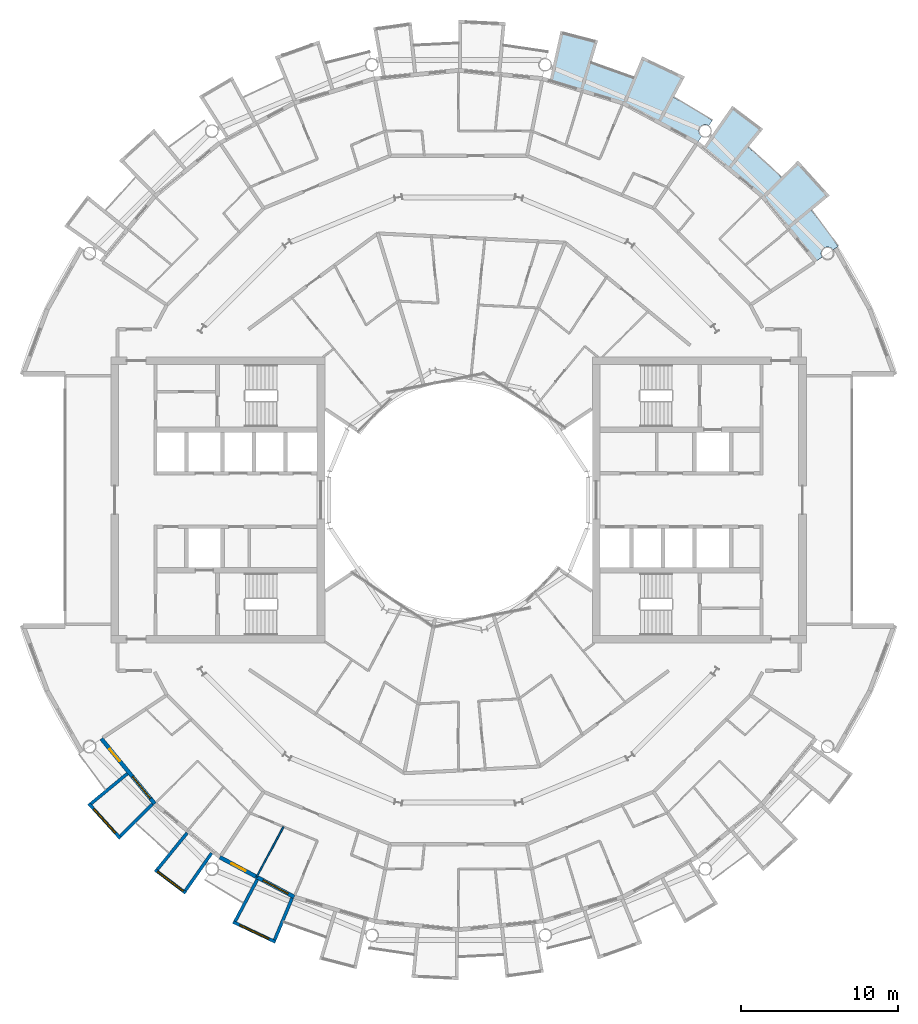
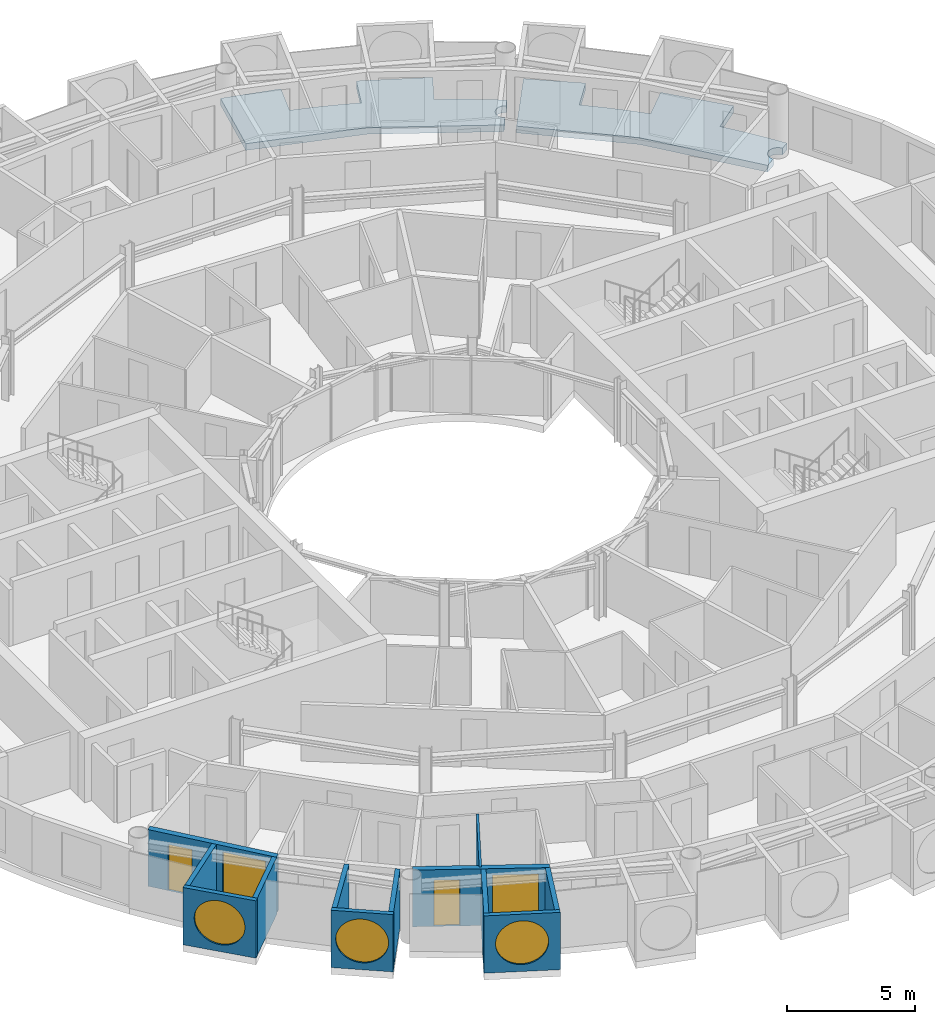
# One storey, part 13 of 27: 12 walls, 5 windows, 2 doors, 2 slabs, 7 openings.
"""IFC4 building model written with IfcOpenShell, lengths in metres."""

from ifc_helpers import new_model, si_unit, direction, frame, frame_2d, origin, place, context, subcontext, project, spatial, polyline, rectangle, circle, outline, extrude, material, layer, layer_set, type_object, element, fill, save


model = new_model("IFC4")

# Units and contexts
model_context = context("Model", 3, precision=1e-05, world=origin(), true_north=direction((0.0, 1.0)))
body_context = subcontext(model_context, "Body", "Model", "MODEL_VIEW")
ifc_project = project(units=[si_unit("LENGTHUNIT", "METRE"), si_unit("AREAUNIT", "SQUARE_METRE"), si_unit("VOLUMEUNIT", "CUBIC_METRE"), si_unit("PLANEANGLEUNIT", "RADIAN"), si_unit("MASSUNIT", "GRAM", prefix="KILO")], contexts=[model_context])

# Site, building, storey
site_placement = place(None, origin())
site = spatial("IfcSite", under=ifc_project, at=site_placement, CompositionType="ELEMENT")
building_placement = place(site_placement, origin())
building = spatial("IfcBuilding", under=site, at=building_placement, Name="Maasbend Ring Residences", CompositionType="ELEMENT")
storey_placement = place(building_placement, frame((0.0, 0.0, 170.75)))
storey = spatial("IfcBuildingStorey", under=building, at=storey_placement, Name="L49", CompositionType="ELEMENT", Elevation=170.75)

# Slabs
ifc_material_1 = material(Name="Concrete C40/50", Category="concrete")
ifc_layer_1 = layer(ifc_material_1, 0.199951171875)
ifc_layer_set_1 = layer_set([ifc_layer_1], Name="Concrete C40/50")
slab_type = type_object("IfcSlabType", Name="SL-LOGGIA", PredefinedType="FLOOR", material=ifc_layer_set_1)
slab_1_placement = place(storey_placement, frame((0.0, 0.0, -0.35009765625)))
element("IfcSlab", 1, at=slab_1_placement, inside=storey, type_object=slab_type, Name="Loggia floor 1", PredefinedType="FLOOR", context=body_context, shape_type="SweptSolid", body=[
    extrude(outline(polyline([(8.85400390625, 29.18701171875), (8.85400390625, 29.18701171875), (8.85400390625, 29.18701171875), (8.41796875, 27.751953125), (8.41796875, 27.751953125), (8.41796875, 27.751953125), (8.41796875, 27.751953125), (8.41796875, 27.751953125), (8.41796875, 27.751953125), (8.41796875, 27.7509765625), (8.41796875, 27.7509765625), (8.41796875, 27.7509765625), (8.41796875, 27.7509765625), (8.41796875, 27.7509765625), (8.4189453125, 27.7509765625), (8.4189453125, 27.7509765625), (8.4189453125, 27.7509765625), (8.4189453125, 27.7509765625), (8.4189453125, 27.7509765625), (8.4189453125, 27.7509765625), (9.322021484375, 27.4609375), (9.322021484375, 27.4609375), (10.215087890625, 27.14111328125), (10.215087890625, 27.14111328125), (11.096923828125, 26.79296875), (11.096923828125, 26.79296875), (11.096923828125, 26.79296875), (11.097900390625, 26.79296875), (11.097900390625, 26.79296875), (11.097900390625, 26.79296875), (11.097900390625, 26.79296875), (11.097900390625, 26.79296875), (11.097900390625, 26.79296875), (11.097900390625, 26.79296875), (11.097900390625, 26.79296875), (11.097900390625, 26.79296875), (11.097900390625, 26.79296875), (11.097900390625, 26.79296875), (11.097900390625, 26.79296875), (11.097900390625, 26.79296875), (11.097900390625, 26.79296875), (11.672119140625, 28.177978515625), (11.672119140625, 28.177978515625), (11.672119140625, 28.177978515625), (14.3779296875, 26.89892578125), (14.3779296875, 26.89892578125), (14.3779296875, 26.89892578125), (13.6708984375, 25.575927734375), (13.6708984375, 25.575927734375), (13.6708984375, 25.575927734375), (13.6708984375, 25.575927734375), (13.6708984375, 25.575927734375), (13.6708984375, 25.575927734375), (13.6708984375, 25.575927734375), (13.6708984375, 25.575927734375), (13.6708984375, 25.575927734375), (13.6708984375, 25.575927734375), (13.6708984375, 25.575927734375), (13.6708984375, 25.575927734375), (13.6708984375, 25.575927734375), (13.6708984375, 25.575927734375), (13.6708984375, 25.575927734375), (13.6708984375, 25.575927734375), (13.6708984375, 25.574951171875), (14.5, 25.114990234375), (14.5, 25.114990234375), (15.31396484375, 24.626953125), (15.31396484375, 24.626953125), (16.112060546875, 24.113037109375), (16.112060546875, 24.113037109375), (16.112060546875, 24.113037109375), (15.89306640625, 23.784912109375), (15.885009765625, 23.791015625), (15.8759765625, 23.7958984375), (15.866943359375, 23.801025390625), (15.85888671875, 23.805908203125), (15.85009765625, 23.81005859375), (15.841064453125, 23.81494140625), (15.83203125, 23.819091796875), (15.822998046875, 23.822998046875), (15.81298828125, 23.826904296875), (15.803955078125, 23.830078125), (15.794921875, 23.8330078125), (15.784912109375, 23.8359375), (15.77587890625, 23.839111328125), (15.76611328125, 23.842041015625), (15.756103515625, 23.843994140625), (15.74609375, 23.845947265625), (15.737060546875, 23.847900390625), (15.72705078125, 23.85009765625), (15.717041015625, 23.85107421875), (15.70703125, 23.85205078125), (15.697021484375, 23.85302734375), (15.68701171875, 23.85302734375), (15.677001953125, 23.85400390625), (15.6669921875, 23.85400390625), (15.656982421875, 23.85400390625), (15.64697265625, 23.85302734375), (15.636962890625, 23.85302734375), (15.626953125, 23.85205078125), (15.616943359375, 23.85107421875), (15.60693359375, 23.85009765625), (15.597900390625, 23.847900390625), (15.587890625, 23.845947265625), (15.577880859375, 23.843994140625), (15.568115234375, 23.842041015625), (15.55908203125, 23.839111328125), (15.549072265625, 23.8359375), (15.5400390625, 23.8330078125), (15.530029296875, 23.830078125), (15.52099609375, 23.826904296875), (15.511962890625, 23.822998046875), (15.501953125, 23.819091796875), (15.492919921875, 23.81494140625), (15.48388671875, 23.81005859375), (15.47509765625, 23.805908203125), (15.467041015625, 23.801025390625), (15.4580078125, 23.7958984375), (15.449951171875, 23.791015625), (15.44091796875, 23.784912109375), (15.43310546875, 23.780029296875), (15.425048828125, 23.77392578125), (15.4169921875, 23.76806640625), (15.408935546875, 23.761962890625), (15.402099609375, 23.7548828125), (15.39404296875, 23.7490234375), (15.386962890625, 23.741943359375), (15.3798828125, 23.735107421875), (15.373046875, 23.72802734375), (15.365966796875, 23.719970703125), (15.35888671875, 23.712890625), (15.35302734375, 23.705078125), (15.346923828125, 23.697021484375), (15.341064453125, 23.68994140625), (15.3349609375, 23.680908203125), (15.3291015625, 23.673095703125), (15.323974609375, 23.6650390625), (15.318115234375, 23.656005859375), (15.31298828125, 23.64794921875), (15.30908203125, 23.638916015625), (15.303955078125, 23.6298828125), (15.300048828125, 23.62109375), (15.294921875, 23.612060546875), (15.2919921875, 23.60302734375), (15.2880859375, 23.593994140625), (15.283935546875, 23.583984375), (15.281005859375, 23.574951171875), (15.278076171875, 23.56494140625), (15.27490234375, 23.555908203125), (15.27294921875, 23.5458984375), (15.27001953125, 23.535888671875), (15.26806640625, 23.527099609375), (15.26708984375, 23.51708984375), (15.264892578125, 23.507080078125), (15.263916015625, 23.4970703125), (15.262939453125, 23.487060546875), (15.261962890625, 23.47705078125), (15.260986328125, 23.467041015625), (15.260986328125, 23.45703125), (15.260986328125, 23.447021484375), (15.260986328125, 23.43701171875), (15.260986328125, 23.427001953125), (15.261962890625, 23.4169921875), (15.262939453125, 23.407958984375), (15.263916015625, 23.39794921875), (15.264892578125, 23.387939453125), (15.26708984375, 23.3779296875), (15.26806640625, 23.367919921875), (15.27001953125, 23.35791015625), (15.27294921875, 23.34912109375), (15.27490234375, 23.339111328125), (15.278076171875, 23.3291015625), (15.281005859375, 23.320068359375), (15.283935546875, 23.31005859375), (15.2880859375, 23.301025390625), (15.2919921875, 23.2919921875), (15.294921875, 23.282958984375), (15.300048828125, 23.27392578125), (15.303955078125, 23.264892578125), (15.30908203125, 23.256103515625), (15.31298828125, 23.2470703125), (15.318115234375, 23.238037109375), (15.323974609375, 23.22998046875), (15.3291015625, 23.221923828125), (15.3349609375, 23.212890625), (15.341064453125, 23.205078125), (15.346923828125, 23.197021484375), (15.35302734375, 23.18994140625), (15.35888671875, 23.181884765625), (15.365966796875, 23.174072265625), (15.373046875, 23.1669921875), (15.3798828125, 23.159912109375), (15.386962890625, 23.153076171875), (15.39404296875, 23.14599609375), (15.402099609375, 23.139892578125), (15.408935546875, 23.133056640625), (15.4169921875, 23.126953125), (15.425048828125, 23.12109375), (15.43310546875, 23.114990234375), (15.44091796875, 23.10888671875), (15.1669921875, 22.698974609375), (15.1669921875, 22.698974609375), (15.1669921875, 22.698974609375), (12.806884765625, 23.9609375), (10.447021484375, 25.221923828125), (10.447021484375, 25.221923828125), (10.447021484375, 25.221923828125), (7.886962890625, 25.9990234375), (5.797119140625, 26.633056640625), (5.797119140625, 26.633056640625), (5.797119140625, 26.633056640625), (6.487060546875, 29.802001953125), (6.487060546875, 29.802001953125), (6.487060546875, 29.802001953125), (8.85400390625, 29.18701171875)])), origin(), (0.0, 0.0, 1.0), 0.320068359375),
])
slab_2_placement = place(storey_placement, frame((0.0, 0.0, -0.35009765625)))
element("IfcSlab", 2, at=slab_2_placement, inside=storey, type_object=slab_type, Name="Loggia floor 4", PredefinedType="FLOOR", context=body_context, shape_type="SweptSolid", body=[
    extrude(outline(polyline([(19.34912109375, 23.576904296875), (19.34912109375, 23.576904296875), (19.34912109375, 23.576904296875), (18.39794921875, 22.41796875), (18.39794921875, 22.41796875), (18.39794921875, 22.41796875), (18.39794921875, 22.41796875), (18.39794921875, 22.41796875), (18.39794921875, 22.4169921875), (18.39794921875, 22.4169921875), (18.39794921875, 22.4169921875), (18.39794921875, 22.4169921875), (18.39794921875, 22.4169921875), (18.39794921875, 22.4169921875), (18.39794921875, 22.4169921875), (18.39794921875, 22.4169921875), (18.39794921875, 22.4169921875), (18.39794921875, 22.4169921875), (18.39794921875, 22.4169921875), (18.39794921875, 22.4169921875), (19.12109375, 21.802978515625), (19.12109375, 21.802978515625), (19.823974609375, 21.166015625), (19.823974609375, 21.166015625), (20.506103515625, 20.506103515625), (20.506103515625, 20.506103515625), (20.506103515625, 20.506103515625), (20.506103515625, 20.506103515625), (20.506103515625, 20.506103515625), (20.506103515625, 20.506103515625), (20.506103515625, 20.506103515625), (20.506103515625, 20.506103515625), (20.506103515625, 20.506103515625), (20.506103515625, 20.506103515625), (20.506103515625, 20.506103515625), (20.506103515625, 20.506103515625), (20.506103515625, 20.506103515625), (20.506103515625, 20.506103515625), (20.506103515625, 20.506103515625), (20.506103515625, 20.506103515625), (20.506103515625, 20.506103515625), (21.56689453125, 21.56689453125), (21.56689453125, 21.56689453125), (21.56689453125, 21.56689453125), (23.576904296875, 19.34912109375), (23.576904296875, 19.34912109375), (23.576904296875, 19.34912109375), (22.41796875, 18.39794921875), (22.41796875, 18.39794921875), (22.41796875, 18.39794921875), (22.41796875, 18.39794921875), (22.41796875, 18.39794921875), (22.41796875, 18.39794921875), (22.41796875, 18.39697265625), (22.41796875, 18.39697265625), (22.41796875, 18.39697265625), (22.41796875, 18.39697265625), (22.41796875, 18.39697265625), (22.41796875, 18.39697265625), (22.41796875, 18.39697265625), (22.41796875, 18.39697265625), (22.41796875, 18.39697265625), (22.41796875, 18.39697265625), (22.41796875, 18.39697265625), (23.007080078125, 17.654052734375), (23.007080078125, 17.654052734375), (23.572998046875, 16.89208984375), (23.572998046875, 16.89208984375), (24.113037109375, 16.112060546875), (24.113037109375, 16.112060546875), (24.113037109375, 16.112060546875), (23.784912109375, 15.89306640625), (23.784912109375, 15.89306640625), (23.780029296875, 15.90087890625), (23.77392578125, 15.908935546875), (23.76806640625, 15.9169921875), (23.761962890625, 15.925048828125), (23.7548828125, 15.93310546875), (23.7490234375, 15.93994140625), (23.741943359375, 15.947021484375), (23.735107421875, 15.955078125), (23.72802734375, 15.9619140625), (23.719970703125, 15.968017578125), (23.712890625, 15.97509765625), (23.705078125, 15.98095703125), (23.697021484375, 15.988037109375), (23.68994140625, 15.993896484375), (23.680908203125, 15.9990234375), (23.673095703125, 16.0048828125), (23.6650390625, 16.010986328125), (23.656005859375, 16.01611328125), (23.64794921875, 16.02099609375), (23.638916015625, 16.02587890625), (23.6298828125, 16.030029296875), (23.62109375, 16.034912109375), (23.612060546875, 16.0390625), (23.60302734375, 16.04296875), (23.593994140625, 16.0458984375), (23.583984375, 16.050048828125), (23.574951171875, 16.052978515625), (23.56494140625, 16.055908203125), (23.555908203125, 16.05908203125), (23.5458984375, 16.06103515625), (23.535888671875, 16.06396484375), (23.527099609375, 16.06591796875), (23.51708984375, 16.068115234375), (23.507080078125, 16.069091796875), (23.4970703125, 16.071044921875), (23.487060546875, 16.072021484375), (23.47705078125, 16.072021484375), (23.467041015625, 16.072998046875), (23.45703125, 16.072998046875), (23.447021484375, 16.073974609375), (23.43701171875, 16.072998046875), (23.427001953125, 16.072998046875), (23.4169921875, 16.072021484375), (23.407958984375, 16.072021484375), (23.39794921875, 16.071044921875), (23.387939453125, 16.069091796875), (23.3779296875, 16.068115234375), (23.367919921875, 16.06591796875), (23.35791015625, 16.06396484375), (23.34912109375, 16.06103515625), (23.339111328125, 16.05908203125), (23.3291015625, 16.055908203125), (23.320068359375, 16.052978515625), (23.31005859375, 16.050048828125), (23.301025390625, 16.0458984375), (23.2919921875, 16.04296875), (23.282958984375, 16.0390625), (23.27392578125, 16.034912109375), (23.264892578125, 16.030029296875), (23.256103515625, 16.02587890625), (23.2470703125, 16.02099609375), (23.238037109375, 16.01611328125), (23.22998046875, 16.010986328125), (23.221923828125, 16.0048828125), (23.212890625, 15.9990234375), (23.205078125, 15.993896484375), (23.197021484375, 15.988037109375), (23.18994140625, 15.98095703125), (23.181884765625, 15.97509765625), (23.174072265625, 15.968017578125), (23.1669921875, 15.9619140625), (23.159912109375, 15.955078125), (23.153076171875, 15.947021484375), (23.14599609375, 15.93994140625), (23.139892578125, 15.93310546875), (23.133056640625, 15.925048828125), (23.126953125, 15.9169921875), (23.12109375, 15.908935546875), (23.114990234375, 15.90087890625), (23.10888671875, 15.89306640625), (23.10400390625, 15.885009765625), (23.09912109375, 15.8759765625), (23.093994140625, 15.866943359375), (23.089111328125, 15.85888671875), (23.083984375, 15.85009765625), (23.080078125, 15.841064453125), (23.075927734375, 15.83203125), (23.072021484375, 15.822998046875), (23.068115234375, 15.81298828125), (23.06494140625, 15.803955078125), (23.06103515625, 15.794921875), (23.05810546875, 15.784912109375), (23.055908203125, 15.77587890625), (23.052978515625, 15.76611328125), (23.051025390625, 15.756103515625), (23.049072265625, 15.74609375), (23.047119140625, 15.737060546875), (23.044921875, 15.72705078125), (23.0439453125, 15.717041015625), (23.04296875, 15.70703125), (23.0419921875, 15.697021484375), (23.041015625, 15.68701171875), (23.041015625, 15.677001953125), (23.041015625, 15.6669921875), (23.041015625, 15.656982421875), (23.041015625, 15.64697265625), (23.0419921875, 15.636962890625), (23.04296875, 15.626953125), (23.0439453125, 15.616943359375), (23.044921875, 15.60693359375), (23.047119140625, 15.597900390625), (23.049072265625, 15.587890625), (23.051025390625, 15.577880859375), (23.052978515625, 15.568115234375), (23.055908203125, 15.55908203125), (23.05810546875, 15.549072265625), (23.06103515625, 15.5400390625), (23.06494140625, 15.530029296875), (23.068115234375, 15.52099609375), (23.072021484375, 15.511962890625), (23.075927734375, 15.501953125), (23.080078125, 15.492919921875), (23.083984375, 15.48388671875), (23.089111328125, 15.47509765625), (23.093994140625, 15.467041015625), (23.09912109375, 15.4580078125), (23.10400390625, 15.449951171875), (23.10888671875, 15.44091796875), (23.10888671875, 15.44091796875), (22.698974609375, 15.1669921875), (22.698974609375, 15.1669921875), (22.698974609375, 15.1669921875), (21.001953125, 17.236083984375), (19.303955078125, 19.303955078125), (19.303955078125, 19.303955078125), (19.303955078125, 19.303955078125), (17.236083984375, 21.001953125), (15.547119140625, 22.386962890625), (15.547119140625, 22.386962890625), (15.547119140625, 22.386962890625), (17.39794921875, 25.051025390625), (17.39794921875, 25.051025390625), (17.39794921875, 25.051025390625), (19.34912109375, 23.576904296875)])), origin(), (0.0, 0.0, 1.0), 0.320068359375),
])

# Wall, opening, window
ifc_material_2 = material(Name="Pale anodised aluminium panel", Category="aluminium")
ifc_layer_2 = layer(ifc_material_2, 0.199951171875)
ifc_layer_set_2 = layer_set([ifc_layer_2], Name="EW-BOX")
wall_type_1 = type_object("IfcWallType", Name="EW-BOX", PredefinedType="SOLIDWALL", material=ifc_layer_set_2)
wall_1_placement = place(storey_placement, frame((-23.5029296875, -19.281982421875, -0.030029296875), z_axis=(0.0, 0.0, 1.0), x_axis=(0.671506829416, -0.740998365753, 0.0)))
wall_1 = element("IfcWall", 3, at=wall_1_placement, inside=storey, type_object=wall_type_1, Name="Box front S02", PredefinedType="SOLIDWALL", context=body_context, shape_type="SweptSolid", body=[
    extrude(rectangle(XDim=2.9931640625, YDim=0.199951171875, at=frame_2d((1.49658203125, 0.0))), origin(), (0.0, 0.0, 1.0), 2.72998046875),
])
opening_1_placement = place(wall_1_placement, frame((0.45654296875, 0.0, 0.330078125)))
opening_1 = element("IfcOpeningElement", 4, at=opening_1_placement, cuts=wall_1, Name="Opening W-RD", PredefinedType="OPENING", context=body_context, shape_type="SweptSolid", body=[
    extrude(circle(Radius=1.0400390625, at=frame_2d((1.0400390625, 1.0400390625))), frame((0.0, 0.10986328125, 0.0), z_axis=(0.0, -1.0, 0.0), x_axis=(1.0, 0.0, 0.0)), (0.0, 0.0, 1.0), 0.219970703125),
])
ifc_material_3 = material(Name="Aluminium and clear glass", Category="aluminium")
window_type_1 = type_object("IfcWindowType", Name="W-RD", PartitioningType="SINGLE_PANEL", PredefinedType="WINDOW", material=ifc_material_3)
window_1_placement = place(opening_1_placement, origin())
window_1 = element("IfcWindow", 5, at=window_1_placement, inside=storey, type_object=window_type_1, Name="Round window S02", OverallHeight=2.080078125, OverallWidth=2.080078125, PartitioningType="SINGLE_PANEL", PredefinedType="WINDOW", context=body_context, shape_type="SweptSolid", body=[
    extrude(circle(Radius=1.0400390625, at=frame_2d((1.0400390625, 1.0400390625))), frame((0.0, 0.030029296875, 0.0), z_axis=(0.0, -1.0, 0.0), x_axis=(1.0, 0.0, 0.0)), (0.0, 0.0, 1.0), 0.06005859375),
])
fill(opening_1, window_1)

# Walls
wall_2_placement = place(storey_placement, frame((-21.041015625, -17.384033203125, -0.030029296875), z_axis=(0.0, 0.0, 1.0), x_axis=(-0.770784861449, -0.63709551667, 0.0)))
element("IfcWall", 6, at=wall_2_placement, inside=storey, type_object=wall_type_1, Name="Box side wall S02 left", PredefinedType="SOLIDWALL", context=body_context, shape_type="SweptSolid", body=[
    extrude(rectangle(XDim=3.005859375, YDim=0.199951171875, at=frame_2d((1.5029296875, 0.0))), origin(), (0.0, 0.0, 1.0), 2.72998046875),
])
wall_3_placement = place(storey_placement, frame((-19.449951171875, -19.322998046875, -0.030029296875), z_axis=(0.0, 0.0, 1.0), x_axis=(-0.709727076896, -0.704476739375, 0.0)))
element("IfcWall", 7, at=wall_3_placement, inside=storey, type_object=wall_type_1, Name="Box side wall S02 right", PredefinedType="SOLIDWALL", context=body_context, shape_type="SweptSolid", body=[
    extrude(rectangle(XDim=2.883056640625, YDim=0.199951171875, at=frame_2d((1.44140625, 0.0))), origin(), (0.0, 0.0, 1.0), 2.72998046875),
])

# Wall, opening, window
wall_4_placement = place(storey_placement, frame((-19.2890625, -23.4970703125, -0.030029296875), z_axis=(0.0, 0.0, 1.0), x_axis=(0.797887588059, -0.602806268067, 0.0)))
wall_4 = element("IfcWall", 8, at=wall_4_placement, inside=storey, type_object=wall_type_1, Name="Box front S04", PredefinedType="SOLIDWALL", context=body_context, shape_type="SweptSolid", body=[
    extrude(rectangle(XDim=2.446533203125, YDim=0.199951171875, at=frame_2d((1.22314453125, 0.0))), origin(), (0.0, 0.0, 1.0), 2.72998046875),
])
opening_2_placement = place(wall_4_placement, frame((0.182861328125, 0.0, 0.330078125)))
opening_2 = element("IfcOpeningElement", 9, at=opening_2_placement, cuts=wall_4, Name="Opening W-RD", PredefinedType="OPENING", context=body_context, shape_type="SweptSolid", body=[
    extrude(circle(Radius=1.0400390625, at=frame_2d((1.0400390625, 1.0400390625))), frame((0.0, 0.10986328125, 0.0), z_axis=(0.0, -1.0, 0.0), x_axis=(1.0, 0.0, 0.0)), (0.0, 0.0, 1.0), 0.219970703125),
])
window_2_placement = place(opening_2_placement, origin())
window_2 = element("IfcWindow", 10, at=window_2_placement, inside=storey, type_object=window_type_1, Name="Round window S04", OverallHeight=2.080078125, OverallWidth=2.080078125, PartitioningType="SINGLE_PANEL", PredefinedType="WINDOW", context=body_context, shape_type="SweptSolid", body=[
    extrude(circle(Radius=1.0400390625, at=frame_2d((1.0400390625, 1.0400390625))), frame((0.0, 0.030029296875, 0.0), z_axis=(0.0, -1.0, 0.0), x_axis=(1.0, 0.0, 0.0)), (0.0, 0.0, 1.0), 0.06005859375),
])
fill(opening_2, window_2)

# Walls
wall_5_placement = place(storey_placement, frame((-17.24609375, -21.155029296875, -0.030029296875), z_axis=(0.0, 0.0, 1.0), x_axis=(-0.631741648902, -0.775179004516, 0.0)))
element("IfcWall", 11, at=wall_5_placement, inside=storey, type_object=wall_type_1, Name="Box side wall S04 left", PredefinedType="SOLIDWALL", context=body_context, shape_type="SweptSolid", body=[
    extrude(rectangle(XDim=3.005859375, YDim=0.199951171875, at=frame_2d((1.5029296875, 0.0))), origin(), (0.0, 0.0, 1.0), 2.72998046875),
])
wall_6_placement = place(storey_placement, frame((-15.68798828125, -22.43310546875, -0.030029296875), z_axis=(0.0, 0.0, 1.0), x_axis=(-0.573260687834, -0.819373043115, 0.0)))
element("IfcWall", 12, at=wall_6_placement, inside=storey, type_object=wall_type_1, Name="Box side wall S04 right", PredefinedType="SOLIDWALL", context=body_context, shape_type="SweptSolid", body=[
    extrude(rectangle(XDim=2.92529296875, YDim=0.199951171875, at=frame_2d((1.462646484375, 0.0))), origin(), (0.0, 0.0, 1.0), 2.72998046875),
])

# Wall, opening, window
wall_7_placement = place(storey_placement, frame((-14.3349609375, -26.80810546875, -0.030029296875), z_axis=(0.0, 0.0, 1.0), x_axis=(0.904000060331, -0.427532327342, 0.0)))
wall_7 = element("IfcWall", 13, at=wall_7_placement, inside=storey, type_object=wall_type_1, Name="Box front S06", PredefinedType="SOLIDWALL", context=body_context, shape_type="SweptSolid", body=[
    extrude(rectangle(XDim=2.993408203125, YDim=0.199951171875, at=frame_2d((1.49658203125, 0.0))), origin(), (0.0, 0.0, 1.0), 2.72998046875),
])
opening_3_placement = place(wall_7_placement, frame((0.45654296875, 0.0, 0.330078125)))
opening_3 = element("IfcOpeningElement", 14, at=opening_3_placement, cuts=wall_7, Name="Opening W-RD", PredefinedType="OPENING", context=body_context, shape_type="SweptSolid", body=[
    extrude(circle(Radius=1.0400390625, at=frame_2d((1.0400390625, 1.0400390625))), frame((0.0, 0.10986328125, 0.0), z_axis=(0.0, -1.0, 0.0), x_axis=(1.0, 0.0, 0.0)), (0.0, 0.0, 1.0), 0.219970703125),
])
window_3_placement = place(opening_3_placement, origin())
window_3 = element("IfcWindow", 15, at=window_3_placement, inside=storey, type_object=window_type_1, Name="Round window S06", OverallHeight=2.080078125, OverallWidth=2.080078125, PartitioningType="SINGLE_PANEL", PredefinedType="WINDOW", context=body_context, shape_type="SweptSolid", body=[
    extrude(circle(Radius=1.0400390625, at=frame_2d((1.0400390625, 1.0400390625))), frame((0.0, 0.030029296875, 0.0), z_axis=(0.0, -1.0, 0.0), x_axis=(1.0, 0.0, 0.0)), (0.0, 0.0, 1.0), 0.06005859375),
])
fill(opening_3, window_3)

# Walls
wall_8_placement = place(storey_placement, frame((-12.787109375, -24.113037109375, -0.030029296875), z_axis=(0.0, 0.0, 1.0), x_axis=(-0.468365282436, -0.883534924159, 0.0)))
element("IfcWall", 16, at=wall_8_placement, inside=storey, type_object=wall_type_1, Name="Box side wall S06 left", PredefinedType="SOLIDWALL", context=body_context, shape_type="SweptSolid", body=[
    extrude(rectangle(XDim=3.006103515625, YDim=0.199951171875, at=frame_2d((1.5029296875, 0.0))), origin(), (0.0, 0.0, 1.0), 2.72998046875),
])
wall_9_placement = place(storey_placement, frame((-10.574951171875, -25.294921875, -0.030029296875), z_axis=(0.0, 0.0, 1.0), x_axis=(-0.385697364644, -0.922625353492, 0.0)))
element("IfcWall", 17, at=wall_9_placement, inside=storey, type_object=wall_type_1, Name="Box side wall S06 right", PredefinedType="SOLIDWALL", context=body_context, shape_type="SweptSolid", body=[
    extrude(rectangle(XDim=2.88330078125, YDim=0.199951171875, at=frame_2d((1.441650390625, 0.0))), origin(), (0.0, 0.0, 1.0), 2.72998046875),
])

# Wall, openings, door, window
ifc_material_4 = material(Name="Aluminium clad insulated panel", Category="aluminium")
ifc_layer_3 = layer(ifc_material_4, 0.25)
ifc_layer_set_3 = layer_set([ifc_layer_3], Name="EW-GL")
wall_type_2 = type_object("IfcWallType", Name="EW-GL", PredefinedType="SOLIDWALL", material=ifc_layer_set_3)
wall_10_placement = place(storey_placement, frame((-22.698974609375, -15.1669921875, 0.0), z_axis=(0.0, 0.0, 1.0), x_axis=(0.634382322723, -0.773019449054, 0.0)))
wall_10 = element("IfcWall", 18, at=wall_10_placement, inside=storey, type_object=wall_type_2, Name="External wall S01", PredefinedType="SOLIDWALL", context=body_context, shape_type="SweptSolid", body=[
    extrude(rectangle(XDim=5.351806640625, YDim=0.25, at=frame_2d((2.67578125, 0.0))), origin(), (0.0, 0.0, 1.0), 2.699951171875),
])
opening_4_placement = place(wall_10_placement, frame((0.841064453125, 0.0, 0.0)))
opening_4 = element("IfcOpeningElement", 19, at=opening_4_placement, cuts=wall_10, Name="Opening D-LG", PredefinedType="OPENING", context=body_context, shape_type="SweptSolid", body=[
    extrude(rectangle(XDim=1.0, YDim=2.199951171875, at=frame_2d((0.5, 1.10009765625))), frame((0.0, 0.135009765625, 0.0), z_axis=(0.0, -1.0, 0.0), x_axis=(1.0, 0.0, 0.0)), (0.0, 0.0, 1.0), 0.27001953125),
])
opening_5_placement = place(wall_10_placement, frame((3.110595703125, 0.0, 0.300048828125)))
opening_5 = element("IfcOpeningElement", 20, at=opening_5_placement, cuts=wall_10, Name="Opening W-BX", PredefinedType="OPENING", context=body_context, shape_type="SweptSolid", body=[
    extrude(rectangle(XDim=1.800048828125, YDim=2.10009765625, at=frame_2d((0.89990234375, 1.050048828125))), frame((0.0, 0.135009765625, 0.0), z_axis=(0.0, -1.0, 0.0), x_axis=(1.0, 0.0, 0.0)), (0.0, 0.0, 1.0), 0.27001953125),
])
ifc_material_5 = material(Name="Aluminium and clear glass", Category="aluminium")
door_type = type_object("IfcDoorType", Name="D-LG", OperationType="SINGLE_SWING_LEFT", PredefinedType="DOOR", material=ifc_material_5)
door_1_placement = place(opening_4_placement, origin())
door_1 = element("IfcDoor", 21, at=door_1_placement, inside=storey, type_object=door_type, Name="Loggia door S01", OperationType="SINGLE_SWING_LEFT", OverallHeight=2.199951171875, OverallWidth=1.0, PredefinedType="DOOR", context=body_context, shape_type="SweptSolid", body=[
    extrude(rectangle(XDim=1.0, YDim=2.199951171875, at=frame_2d((0.5, 1.10009765625))), frame((0.0, 0.02490234375, 0.0), z_axis=(0.0, -1.0, 0.0), x_axis=(1.0, 0.0, 0.0)), (0.0, 0.0, 1.0), 0.050048828125),
])
fill(opening_4, door_1)
ifc_material_6 = material(Name="Aluminium and clear glass", Category="aluminium")
window_type_2 = type_object("IfcWindowType", Name="W-BX", PartitioningType="DOUBLE_PANEL_VERTICAL", PredefinedType="WINDOW", material=ifc_material_6)
window_4_placement = place(opening_5_placement, origin())
window_4 = element("IfcWindow", 22, at=window_4_placement, inside=storey, type_object=window_type_2, Name="Window S02 room to box", OverallHeight=2.10009765625, OverallWidth=1.800048828125, PartitioningType="SINGLE_PANEL", PredefinedType="WINDOW", context=body_context, shape_type="SweptSolid", body=[
    extrude(rectangle(XDim=1.800048828125, YDim=2.10009765625, at=frame_2d((0.89990234375, 1.050048828125))), frame((0.0, 0.030029296875, 0.0), z_axis=(0.0, -1.0, 0.0), x_axis=(1.0, 0.0, 0.0)), (0.0, 0.0, 1.0), 0.06005859375),
])
fill(opening_5, window_4)

wall_11_placement = place(storey_placement, frame((-15.1669921875, -22.698974609375, 0.0), z_axis=(0.0, 0.0, 1.0), x_axis=(0.881915646801, -0.471407246368, 0.0)))
wall_11 = element("IfcWall", 23, at=wall_11_placement, inside=storey, type_object=wall_type_2, Name="External wall S03", PredefinedType="SOLIDWALL", context=body_context, shape_type="SweptSolid", body=[
    extrude(rectangle(XDim=5.35205078125, YDim=0.25, at=frame_2d((2.676025390625, 0.0))), origin(), (0.0, 0.0, 1.0), 2.699951171875),
])
opening_6_placement = place(wall_11_placement, frame((0.841064453125, 0.0, 0.0)))
opening_6 = element("IfcOpeningElement", 24, at=opening_6_placement, cuts=wall_11, Name="Opening D-LG", PredefinedType="OPENING", context=body_context, shape_type="SweptSolid", body=[
    extrude(rectangle(XDim=1.0, YDim=2.199951171875, at=frame_2d((0.5, 1.10009765625))), frame((0.0, 0.135009765625, 0.0), z_axis=(0.0, -1.0, 0.0), x_axis=(1.0, 0.0, 0.0)), (0.0, 0.0, 1.0), 0.27001953125),
])
opening_7_placement = place(wall_11_placement, frame((3.110595703125, 0.0, 0.300048828125)))
opening_7 = element("IfcOpeningElement", 25, at=opening_7_placement, cuts=wall_11, Name="Opening W-BX", PredefinedType="OPENING", context=body_context, shape_type="SweptSolid", body=[
    extrude(rectangle(XDim=1.800048828125, YDim=2.10009765625, at=frame_2d((0.89990234375, 1.050048828125))), frame((0.0, 0.135009765625, 0.0), z_axis=(0.0, -1.0, 0.0), x_axis=(1.0, 0.0, 0.0)), (0.0, 0.0, 1.0), 0.27001953125),
])
door_2_placement = place(opening_6_placement, origin())
door_2 = element("IfcDoor", 26, at=door_2_placement, inside=storey, type_object=door_type, Name="Loggia door S05", OperationType="SINGLE_SWING_LEFT", OverallHeight=2.199951171875, OverallWidth=1.0, PredefinedType="DOOR", context=body_context, shape_type="SweptSolid", body=[
    extrude(rectangle(XDim=1.0, YDim=2.199951171875, at=frame_2d((0.5, 1.10009765625))), frame((0.0, 0.02490234375, 0.0), z_axis=(0.0, -1.0, 0.0), x_axis=(1.0, 0.0, 0.0)), (0.0, 0.0, 1.0), 0.050048828125),
])
fill(opening_6, door_2)
window_5_placement = place(opening_7_placement, origin())
window_5 = element("IfcWindow", 27, at=window_5_placement, inside=storey, type_object=window_type_2, Name="Window S06 room to box", OverallHeight=2.10009765625, OverallWidth=1.800048828125, PartitioningType="SINGLE_PANEL", PredefinedType="WINDOW", context=body_context, shape_type="SweptSolid", body=[
    extrude(rectangle(XDim=1.800048828125, YDim=2.10009765625, at=frame_2d((0.89990234375, 1.050048828125))), frame((0.0, 0.030029296875, 0.0), z_axis=(0.0, -1.0, 0.0), x_axis=(1.0, 0.0, 0.0)), (0.0, 0.0, 1.0), 0.06005859375),
])
fill(opening_7, window_5)

# Wall
ifc_material_7 = material(Name="Gypsum board on steel studs", Category="steel")
ifc_layer_4 = layer(ifc_material_7, 0.10009765625)
ifc_layer_set_4 = layer_set([ifc_layer_4], Name="PARTITION 100 GYPSUM")
wall_type_3 = type_object("IfcWallType", Name="PARTITION 100 GYPSUM", PredefinedType="PARTITIONING", material=ifc_layer_set_4)
wall_12_placement = place(storey_placement, frame((-12.8330078125, -23.9541015625, 0.0), z_axis=(0.0, 0.0, 1.0), x_axis=(0.472212052488, 0.881484984265, 0.0)))
element("IfcWall", 28, at=wall_12_placement, inside=storey, type_object=wall_type_3, Name="U-L49-w045", PredefinedType="PARTITIONING", context=body_context, shape_type="SweptSolid", body=[
    extrude(rectangle(XDim=3.619140625, YDim=0.10009765625, at=frame_2d((1.8095703125, 0.0))), origin(), (0.0, 0.0, 1.0), 2.699951171875),
])

save(model, "model.ifc")
